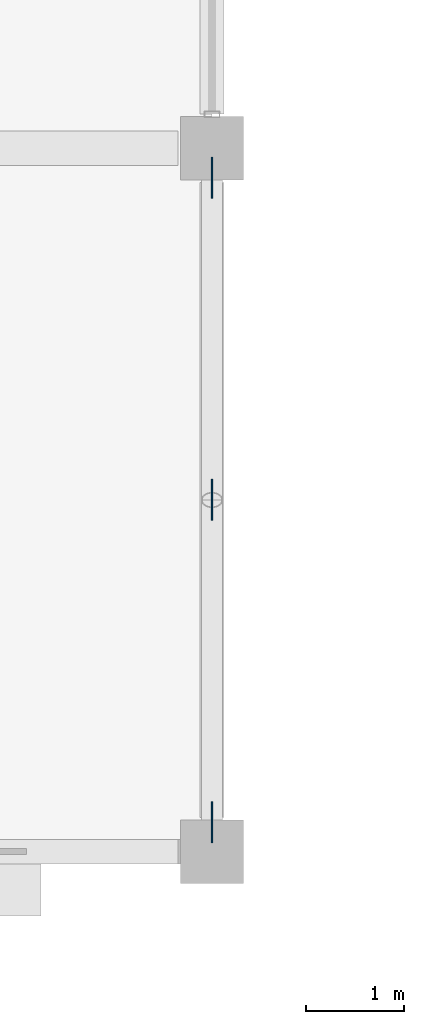
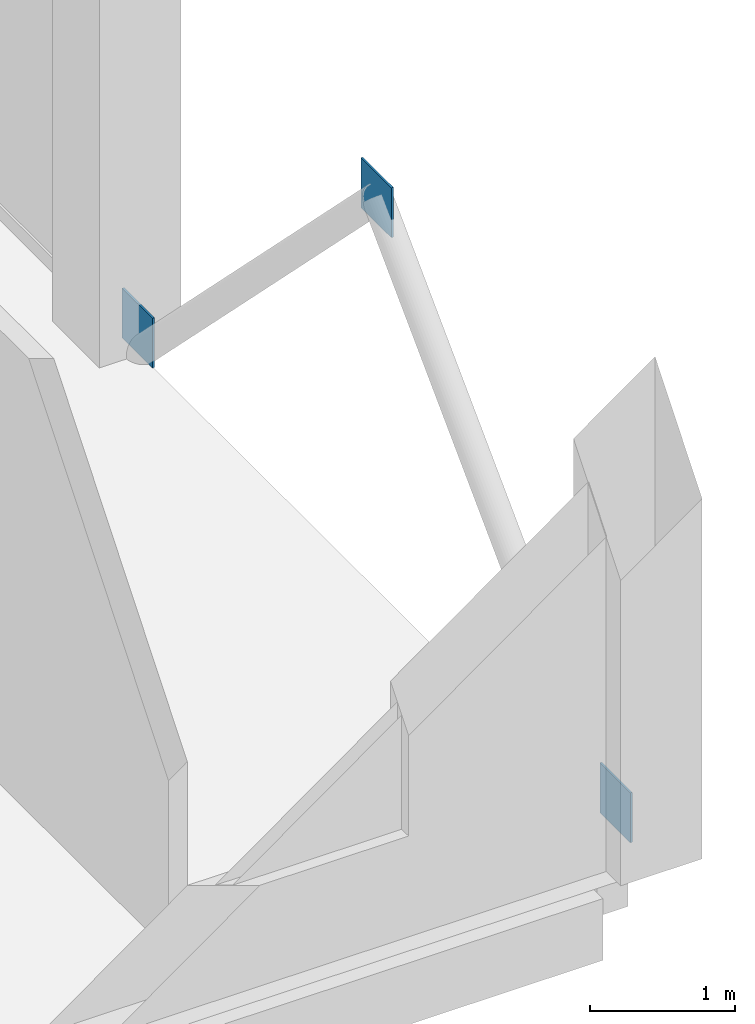
# One storey, part 31 of 59: 3 plates.
"""IFC4 building model written with IfcOpenShell, lengths in metres."""

from ifc_helpers import new_model, si_unit, direction, frame, origin, origin_2d, place, context, subcontext, project, spatial, rectangle, extrude, material, layer, layer_set, type_object, element, save


model = new_model("IFC4")

# Units and contexts
model_context = context("Model", 3, precision=1e-05, world=origin(), true_north=direction((0.0, 1.0)))
body_context = subcontext(model_context, "Body", "Model", "MODEL_VIEW")
ifc_project = project(units=[si_unit("LENGTHUNIT", "METRE"), si_unit("AREAUNIT", "SQUARE_METRE"), si_unit("VOLUMEUNIT", "CUBIC_METRE"), si_unit("PLANEANGLEUNIT", "RADIAN"), si_unit("MASSUNIT", "GRAM", prefix="KILO")], contexts=[model_context])

# Site, building, storey
site_placement = place(None, origin())
site = spatial("IfcSite", under=ifc_project, at=site_placement, CompositionType="ELEMENT")
building_placement = place(site_placement, origin())
building = spatial("IfcBuilding", under=site, at=building_placement, Name="Kangsadwip Square Police Headquarters", CompositionType="ELEMENT")
storey_placement = place(building_placement, frame((0.0, 0.0, 21.60009765625)))
storey = spatial("IfcBuildingStorey", under=building, at=storey_placement, Name="L05", CompositionType="ELEMENT", Elevation=21.60009765625)

# Plates
ifc_material = material(Name="Structural steel IS 2062 E350 (Grade 350, 350 MPa)", Category="steel")
ifc_layer = layer(ifc_material, 0.01611328125)
ifc_layer_set = layer_set([ifc_layer], Name="Structural steel IS 2062 E350 (Grade 350, 350 MPa)")
plate_type = type_object("IfcPlateType", Name="TrussGussetPlate16", PredefinedType="USERDEFINED", material=ifc_layer_set)
for number, where, z_axis, x_axis, name in (
    (1, (21.60009765625, 39.60009765625, 3.099853515625), (0.0, 0.0, 1.0), (0.0, 1.0, 0.0), "Truss Node Gusset Plate GP-L05-0142"),
    (2, (21.60009765625, 36.300048828125, 0.0), (0.0, 0.0, 1.0), (0.0, 1.0, 0.0), "Truss Node Gusset Plate GP-L05-0143"),
    (3, (21.60009765625, 42.89990234375, 0.0), (0.0, 0.0, 1.0), (0.0, 1.0, 0.0), "Truss Node Gusset Plate GP-L05-0144"),
):
    element("IfcPlate", number, at=place(storey_placement, frame(where, z_axis=z_axis, x_axis=x_axis)), inside=storey, type_object=plate_type, Name=name, ObjectType="GUSSET_PLATE", PredefinedType="USERDEFINED", context=body_context, shape_type="SweptSolid", body=[
        extrude(rectangle(XDim=0.419921875, YDim=0.01611328125, at=origin_2d()), origin(), (0.0, 0.0, 1.0), 0.419921875),
    ])

save(model, "model.ifc")
